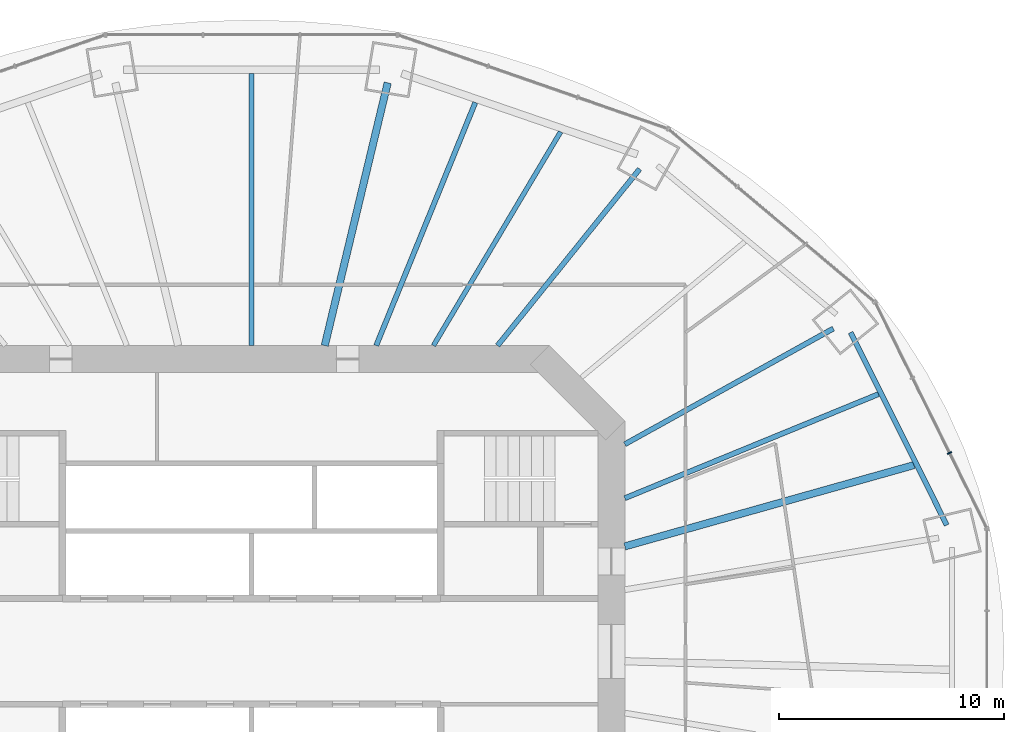
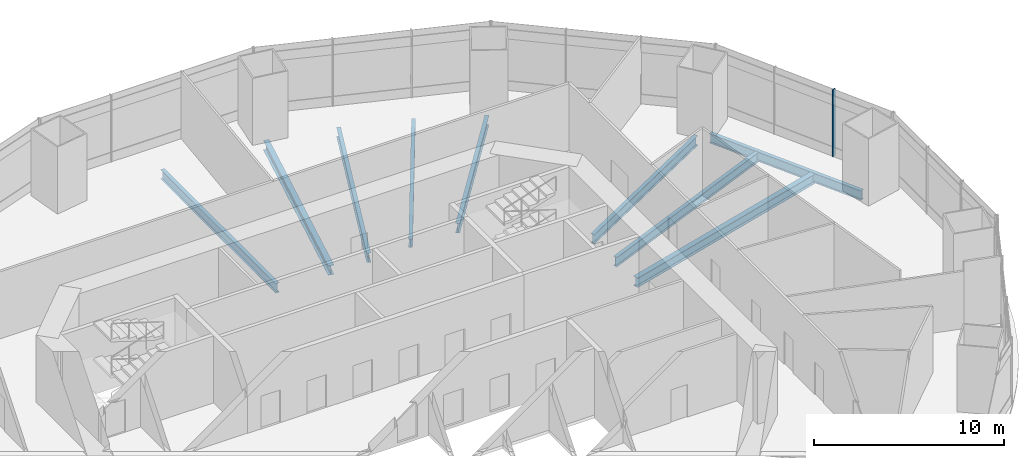
# One storey, part 7 of 17: 9 beams, 2 members, 2 elements without a shape of their own.
"""IFC4 building model written with IfcOpenShell, lengths in metres."""

from ifc_helpers import new_model, si_unit, direction, frame, origin, origin_2d, place, context, subcontext, project, spatial, rectangle, i_section, extrude, material, material_profile, profile_set, type_object, element, aggregate, save


model = new_model("IFC4")

# Units and contexts
model_context = context("Model", 3, precision=1e-05, world=origin(), true_north=direction((0.0, 1.0)))
body_context = subcontext(model_context, "Body", "Model", "MODEL_VIEW")
ifc_project = project(units=[si_unit("LENGTHUNIT", "METRE"), si_unit("AREAUNIT", "SQUARE_METRE"), si_unit("VOLUMEUNIT", "CUBIC_METRE"), si_unit("PLANEANGLEUNIT", "RADIAN"), si_unit("MASSUNIT", "GRAM", prefix="KILO")], contexts=[model_context])

# Site, building, storey
site_placement = place(None, origin())
site = spatial("IfcSite", under=ifc_project, at=site_placement, CompositionType="ELEMENT")
building_placement = place(site_placement, origin())
building = spatial("IfcBuilding", under=site, at=building_placement, Name="Marenthal Gate Tower", CompositionType="ELEMENT")
storey_placement = place(building_placement, frame((0.0, 0.0, 145.050048828125)))
storey = spatial("IfcBuildingStorey", under=building, at=storey_placement, Name="L31", CompositionType="ELEMENT", Elevation=145.050048828125)

# Curtain wall, member
ifc_material_1 = material(Name="Aluminium and glass", Category="aluminium")
curtain_wall_type_1 = type_object("IfcCurtainWallType", Name="Curtain wall amenity", PredefinedType="NOTDEFINED", material=ifc_material_1)
curtain_wall_1_placement = place(storey_placement, origin())
curtain_wall_1 = element("IfcCurtainWall", 1, at=curtain_wall_1_placement, inside=storey, type_object=curtain_wall_type_1, Name="Curtain wall L31 bay 1", PredefinedType="NOTDEFINED")
ifc_material_2 = material(Name="Aluminium", Category="aluminium")
ifc_material_profile_1 = material_profile(ifc_material_2, rectangle(XDim=0.199951171875, YDim=0.06005859375, at=origin_2d()), Name="60x200 aluminium mullion")
ifc_profile_set_1 = profile_set([ifc_material_profile_1], Name="Aluminium")
member_type_1 = type_object("IfcMemberType", Name="Mullion 60x200 amenity", PredefinedType="MULLION", material=ifc_profile_set_1)
member_1_placement = place(storey_placement, frame((31.037353515625, 8.822509765625, 0.0), z_axis=(0.0, 0.0, 1.0), x_axis=(-0.896573265484, -0.442895449987, 0.0)))
member_1 = element("IfcMember", 2, at=member_1_placement, type_object=member_type_1, Name="Mullion L31 bay 1.2", PredefinedType="MULLION", context=body_context, shape_type="SweptSolid", body=[
    extrude(rectangle(XDim=0.199951171875, YDim=0.06005859375, at=origin_2d()), origin(), (0.0, 0.0, 1.0), 3.300048828125),
])
aggregate(curtain_wall_1, [member_1])

ifc_material_3 = material(Name="Aluminium and glass", Category="aluminium")
curtain_wall_type_2 = type_object("IfcCurtainWallType", Name="Curtain wall crown clad", PredefinedType="NOTDEFINED", material=ifc_material_3)
curtain_wall_2_placement = place(storey_placement, origin())
curtain_wall_2 = element("IfcCurtainWall", 3, at=curtain_wall_2_placement, inside=storey, type_object=curtain_wall_type_2, Name="Curtain wall L31 bay 1 head band", PredefinedType="NOTDEFINED")
ifc_material_4 = material(Name="Aluminium", Category="aluminium")
ifc_material_profile_2 = material_profile(ifc_material_4, rectangle(XDim=0.199951171875, YDim=0.06005859375, at=origin_2d()), Name="60x200 aluminium mullion")
ifc_profile_set_2 = profile_set([ifc_material_profile_2], Name="Aluminium")
member_type_2 = type_object("IfcMemberType", Name="Mullion 60x200 crown clad", PredefinedType="MULLION", material=ifc_profile_set_2)
member_2_placement = place(storey_placement, frame((31.037353515625, 8.822509765625, 3.300048828125), z_axis=(0.0, 0.0, 1.0), x_axis=(-0.896573265484, -0.442895449987, 0.0)))
member_2 = element("IfcMember", 4, at=member_2_placement, type_object=member_type_2, Name="Mullion L31 bay 1.2", PredefinedType="MULLION", context=body_context, shape_type="SweptSolid", body=[
    extrude(rectangle(XDim=0.199951171875, YDim=0.06005859375, at=origin_2d()), origin(), (0.0, 0.0, 1.0), 1.0),
])
aggregate(curtain_wall_2, [member_2])

# Beams
ifc_material_5 = material(Name="Steel S355", Category="steel")
ifc_material_profile_3 = material_profile(ifc_material_5, i_section(OverallWidth=0.2119140625, OverallDepth=0.5439453125, WebThickness=0.01318359375, FlangeThickness=0.021240234375, FilletRadius=0.0126953125, at=origin_2d()), Name="W530X123")
ifc_profile_set_3 = profile_set([ifc_material_profile_3], Name="Steel S355")
beam_type_1 = type_object("IfcBeamType", Name="W530X123 beam", PredefinedType="BEAM", material=ifc_profile_set_3)
beam_1_placement = place(storey_placement, frame((13.74462890625, 23.101806640625, -0.47216796875), z_axis=(-0.511319639354, -0.859390613406, 0.0), x_axis=(0.859390613406, -0.511319639354, 0.0)))
element("IfcBeam", 5, at=beam_1_placement, inside=storey, type_object=beam_type_1, Name="BM-L31-20", PredefinedType="BEAM", context=body_context, shape_type="SweptSolid", body=[
    extrude(i_section(OverallWidth=0.2119140625, OverallDepth=0.5439453125, WebThickness=0.01318359375, FlangeThickness=0.021240234375, FilletRadius=0.0126953125, at=origin_2d()), origin(), (0.0, 0.0, 1.0), 11.056396484375),
])
ifc_material_6 = material(Name="Steel S355", Category="steel")
ifc_material_profile_4 = material_profile(ifc_material_6, i_section(OverallWidth=0.22900390625, OverallDepth=0.612060546875, WebThickness=0.011962890625, FlangeThickness=0.01953125, FilletRadius=0.0126953125, at=origin_2d()), Name="W610X125")
ifc_profile_set_4 = profile_set([ifc_material_profile_4], Name="Steel S355")
beam_type_2 = type_object("IfcBeamType", Name="W610X125 beam", PredefinedType="BEAM", material=ifc_profile_set_4)
beam_2_placement = place(storey_placement, frame((25.8701171875, 14.355224609375, -0.506103515625), z_axis=(-0.874396146379, -0.485212715412, 0.0), x_axis=(0.485212715412, -0.874396146379, 0.0)))
element("IfcBeam", 6, at=beam_2_placement, inside=storey, type_object=beam_type_2, Name="BM-L31-02", PredefinedType="BEAM", context=body_context, shape_type="SweptSolid", body=[
    extrude(i_section(OverallWidth=0.22900390625, OverallDepth=0.612060546875, WebThickness=0.011962890625, FlangeThickness=0.01953125, FilletRadius=0.0126953125, at=origin_2d()), origin(), (0.0, 0.0, 1.0), 10.6015625),
])
beam_3_placement = place(storey_placement, frame((17.259521484375, 21.45166015625, -0.506103515625), z_axis=(-0.6268641657, -0.77912856305, 0.0), x_axis=(0.77912856305, -0.6268641657, 0.0)))
element("IfcBeam", 7, at=beam_3_placement, inside=storey, type_object=beam_type_2, Name="BM-L31-03", PredefinedType="BEAM", context=body_context, shape_type="SweptSolid", body=[
    extrude(i_section(OverallWidth=0.22900390625, OverallDepth=0.612060546875, WebThickness=0.011962890625, FlangeThickness=0.01953125, FilletRadius=0.0126953125, at=origin_2d()), origin(), (0.0, 0.0, 1.0), 10.077392578125),
])
beam_4_placement = place(storey_placement, frame((27.8837890625, 11.441162109375, -0.506103515625), z_axis=(-0.925149152046, -0.379603801969, 0.0), x_axis=(0.379603801969, -0.925149152046, 0.0)))
element("IfcBeam", 8, at=beam_4_placement, inside=storey, type_object=beam_type_2, Name="BM-L31-18", PredefinedType="BEAM", context=body_context, shape_type="SweptSolid", body=[
    extrude(i_section(OverallWidth=0.22900390625, OverallDepth=0.612060546875, WebThickness=0.011962890625, FlangeThickness=0.01953125, FilletRadius=0.0126953125, at=origin_2d()), origin(), (0.0, 0.0, 1.0), 12.196533203125),
])
beam_5_placement = place(storey_placement, frame((9.951416015625, 24.406494140625, -0.506103515625), z_axis=(-0.377546734529, -0.925990530862, 0.0), x_axis=(0.925990530862, -0.377546734529, 0.0)))
element("IfcBeam", 9, at=beam_5_placement, inside=storey, type_object=beam_type_2, Name="BM-L31-21", PredefinedType="BEAM", context=body_context, shape_type="SweptSolid", body=[
    extrude(i_section(OverallWidth=0.22900390625, OverallDepth=0.612060546875, WebThickness=0.011962890625, FlangeThickness=0.01953125, FilletRadius=0.0126953125, at=origin_2d()), origin(), (0.0, 0.0, 1.0), 11.670166015625),
])
beam_6_placement = place(storey_placement, frame((0.0, 25.707763671875, -0.506103515625), z_axis=(0.0, -1.0, 0.0), x_axis=(1.0, 0.0, 0.0)))
element("IfcBeam", 10, at=beam_6_placement, inside=storey, type_object=beam_type_2, Name="BM-L31-22", PredefinedType="BEAM", context=body_context, shape_type="SweptSolid", body=[
    extrude(i_section(OverallWidth=0.22900390625, OverallDepth=0.612060546875, WebThickness=0.011962890625, FlangeThickness=0.01953125, FilletRadius=0.0126953125, at=origin_2d()), origin(), (0.0, 0.0, 1.0), 12.107666015625),
])
beam_7_placement = place(storey_placement, frame((30.916748046875, 5.616943359375, -0.506103515625), z_axis=(-0.446356728124, 0.89485511188, 0.0), x_axis=(-0.89485511188, -0.446356728124, 0.0)))
element("IfcBeam", 11, at=beam_7_placement, inside=storey, type_object=beam_type_2, Name="BM-L31-41", PredefinedType="BEAM", context=body_context, shape_type="SweptSolid", body=[
    extrude(i_section(OverallWidth=0.22900390625, OverallDepth=0.612060546875, WebThickness=0.011962890625, FlangeThickness=0.01953125, FilletRadius=0.0126953125, at=origin_2d()), origin(), (0.0, 0.0, 1.0), 9.57568359375),
])
ifc_material_7 = material(Name="Steel S355", Category="steel")
ifc_material_profile_5 = material_profile(ifc_material_7, i_section(OverallWidth=0.324951171875, OverallDepth=0.612060546875, WebThickness=0.0126953125, FlangeThickness=0.01904296875, FilletRadius=0.0126953125, at=origin_2d()), Name="W610X155")
ifc_profile_set_5 = profile_set([ifc_material_profile_5], Name="Steel S355")
beam_type_3 = type_object("IfcBeamType", Name="W610X155 beam", PredefinedType="BEAM", material=ifc_profile_set_5)
beam_8_placement = place(storey_placement, frame((6.05615234375, 25.283935546875, -0.506103515625), z_axis=(-0.232937154271, -0.972491790279, 0.0), x_axis=(0.972491790279, -0.232937154271, 0.0)))
element("IfcBeam", 12, at=beam_8_placement, inside=storey, type_object=beam_type_3, Name="BM-L31-04", PredefinedType="BEAM", context=body_context, shape_type="SweptSolid", body=[
    extrude(i_section(OverallWidth=0.324951171875, OverallDepth=0.612060546875, WebThickness=0.0126953125, FlangeThickness=0.01904296875, FilletRadius=0.0126953125, at=origin_2d()), origin(), (0.0, 0.0, 1.0), 12.014404296875),
])
beam_9_placement = place(storey_placement, frame((29.45849609375, 8.28369140625, -0.506103515625), z_axis=(-0.962664635001, -0.270696879402, 0.0), x_axis=(0.270696879402, -0.962664635001, 0.0)))
element("IfcBeam", 13, at=beam_9_placement, inside=storey, type_object=beam_type_3, Name="BM-L31-17", PredefinedType="BEAM", context=body_context, shape_type="SweptSolid", body=[
    extrude(i_section(OverallWidth=0.324951171875, OverallDepth=0.612060546875, WebThickness=0.0126953125, FlangeThickness=0.01904296875, FilletRadius=0.0126953125, at=origin_2d()), origin(), (0.0, 0.0, 1.0), 13.357177734375),
])

save(model, "model.ifc")
